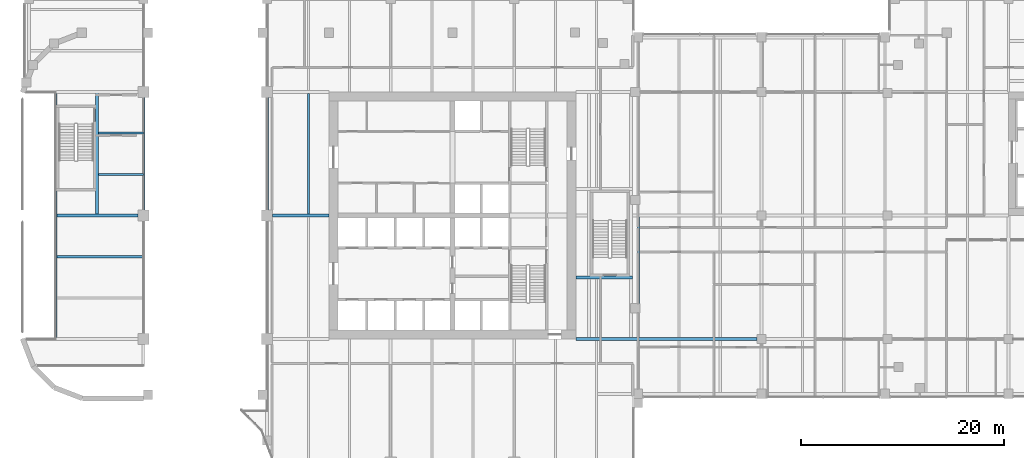
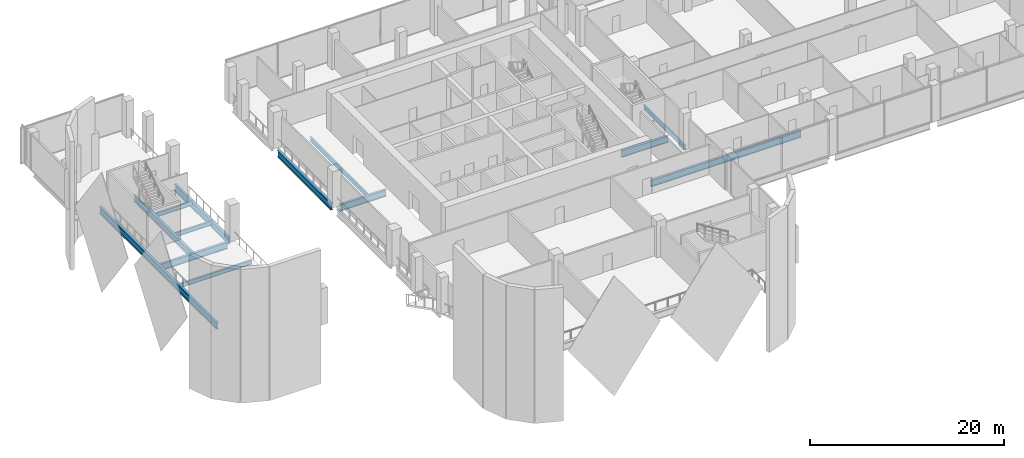
# One storey, part 3 of 33: 13 beams.
"""IFC4 building model written with IfcOpenShell, lengths in metres."""

from ifc_helpers import new_model, si_unit, direction, frame, origin, origin_2d, place, context, subcontext, project, spatial, i_section, extrude, material, material_profile, profile_set, type_object, element, save


model = new_model("IFC4")

# Units and contexts
model_context = context("Model", 3, precision=1e-05, world=origin(), true_north=direction((0.0, 1.0)))
body_context = subcontext(model_context, "Body", "Model", "MODEL_VIEW")
ifc_project = project(units=[si_unit("LENGTHUNIT", "METRE"), si_unit("AREAUNIT", "SQUARE_METRE"), si_unit("VOLUMEUNIT", "CUBIC_METRE"), si_unit("PLANEANGLEUNIT", "RADIAN"), si_unit("MASSUNIT", "GRAM", prefix="KILO")], contexts=[model_context])

# Site, building, storey
site_placement = place(None, origin())
site = spatial("IfcSite", under=ifc_project, at=site_placement, CompositionType="ELEMENT")
building_placement = place(site_placement, origin())
building = spatial("IfcBuilding", under=site, at=building_placement, Name="Tessera Gate Towers", CompositionType="ELEMENT")
storey_placement = place(building_placement, frame((0.0, 0.0, 7.199951171875)))
storey = spatial("IfcBuildingStorey", under=building, at=storey_placement, Name="L01", CompositionType="ELEMENT", Elevation=7.199951171875)

# Beams
ifc_material_1 = material(Name="Steel 350W", Category="steel")
ifc_material_profile_1 = material_profile(ifc_material_1, i_section(OverallWidth=0.2919921875, OverallDepth=0.8349609375, WebThickness=0.013916015625, FlangeThickness=0.018798828125, at=origin_2d()), Name="W840x176")
ifc_profile_set_1 = profile_set([ifc_material_profile_1], Name="Steel 350W")
beam_type_1 = type_object("IfcBeamType", Name="FLOOR GIRDER W840x176", PredefinedType="BEAM", material=ifc_profile_set_1)
beam_1_placement = place(storey_placement, frame((3.5, 24.5458984375, -0.66748046875), z_axis=(0.0, 1.0, 0.0), x_axis=(-1.0, 0.0, 0.0)))
element("IfcBeam", 1, at=beam_1_placement, inside=storey, type_object=beam_type_1, Name="PD-GD-L01-199", PredefinedType="BEAM", context=body_context, shape_type="SweptSolid", body=[
    extrude(i_section(OverallWidth=0.2919921875, OverallDepth=0.8349609375, WebThickness=0.013916015625, FlangeThickness=0.018798828125, at=origin_2d()), origin(), (0.0, 0.0, 1.0), 24.108154296875),
])
beam_2_placement = place(storey_placement, frame((54.90087890625, 24.39990234375, -0.66748046875), z_axis=(1.0, 0.0, 0.0), x_axis=(0.0, 1.0, 0.0)))
element("IfcBeam", 2, at=beam_2_placement, inside=storey, type_object=beam_type_1, Name="PD-GD-L01-206", PredefinedType="BEAM", context=body_context, shape_type="SweptSolid", body=[
    extrude(i_section(OverallWidth=0.2919921875, OverallDepth=0.8349609375, WebThickness=0.013916015625, FlangeThickness=0.018798828125, at=origin_2d()), origin(), (0.0, 0.0, 1.0), 17.84912109375),
])
beam_3_placement = place(storey_placement, frame((3.64599609375, 36.60009765625, -0.66748046875), z_axis=(1.0, 0.0, 0.0), x_axis=(0.0, 1.0, 0.0)))
element("IfcBeam", 3, at=beam_3_placement, inside=storey, type_object=beam_type_1, Name="PD-GD-L01-212", PredefinedType="BEAM", context=body_context, shape_type="SweptSolid", body=[
    extrude(i_section(OverallWidth=0.2919921875, OverallDepth=0.8349609375, WebThickness=0.013916015625, FlangeThickness=0.018798828125, at=origin_2d()), origin(), (0.0, 0.0, 1.0), 8.00390625),
])
beam_4_placement = place(storey_placement, frame((24.949951171875, 36.60009765625, -0.66748046875), z_axis=(1.0, 0.0, 0.0), x_axis=(0.0, 1.0, 0.0)))
element("IfcBeam", 4, at=beam_4_placement, inside=storey, type_object=beam_type_1, Name="PD-GD-L01-213", PredefinedType="BEAM", context=body_context, shape_type="SweptSolid", body=[
    extrude(i_section(OverallWidth=0.2919921875, OverallDepth=0.8349609375, WebThickness=0.013916015625, FlangeThickness=0.018798828125, at=origin_2d()), origin(), (0.0, 0.0, 1.0), 5.551025390625),
])
for number, where, z_axis, x_axis, name in (
    (5, (12.199951171875, 37.14990234375, -0.66748046875), (0.0, 1.0, 0.0), (-1.0, 0.0, 0.0), "PD-GD-L01-237"),
    (6, (24.39990234375, 37.14990234375, -0.66748046875), (0.0, 1.0, 0.0), (-1.0, 0.0, 0.0), "PD-GD-L01-241"),
):
    element("IfcBeam", number, at=place(storey_placement, frame(where, z_axis=z_axis, x_axis=x_axis)), inside=storey, type_object=beam_type_1, Name=name, PredefinedType="BEAM", context=body_context, shape_type="SweptSolid", body=[
        extrude(i_section(OverallWidth=0.2919921875, OverallDepth=0.8349609375, WebThickness=0.013916015625, FlangeThickness=0.018798828125, at=origin_2d()), origin(), (0.0, 0.0, 1.0), 11.10009765625),
    ])
beam_5_placement = place(storey_placement, frame((7.6201171875, 36.70458984375, -0.66748046875), z_axis=(0.0, 1.0, 0.0), x_axis=(-1.0, 0.0, 0.0)))
element("IfcBeam", 7, at=beam_5_placement, inside=storey, type_object=beam_type_1, Name="PD-GD-L01-261", PredefinedType="BEAM", context=body_context, shape_type="SweptSolid", body=[
    extrude(i_section(OverallWidth=0.2919921875, OverallDepth=0.8349609375, WebThickness=0.013916015625, FlangeThickness=0.018798828125, at=origin_2d()), origin(), (0.0, 0.0, 1.0), 11.990966796875),
])
beam_6_placement = place(storey_placement, frame((54.89892578125, 30.47998046875, -0.66748046875), z_axis=(1.0, 0.0, 0.0), x_axis=(0.0, 1.0, 0.0)))
element("IfcBeam", 8, at=beam_6_placement, inside=storey, type_object=beam_type_1, Name="PD-GD-L01-264", PredefinedType="BEAM", context=body_context, shape_type="SweptSolid", body=[
    extrude(i_section(OverallWidth=0.2919921875, OverallDepth=0.8349609375, WebThickness=0.013916015625, FlangeThickness=0.018798828125, at=origin_2d()), origin(), (0.0, 0.0, 1.0), 5.567138671875),
])
ifc_material_2 = material(Name="Steel 350W", Category="steel")
ifc_material_profile_2 = material_profile(ifc_material_2, i_section(OverallWidth=0.208984375, OverallDepth=0.528076171875, WebThickness=0.009521484375, FlangeThickness=0.01318359375, at=origin_2d()), Name="W530x82")
ifc_profile_set_2 = profile_set([ifc_material_profile_2], Name="Steel 350W")
beam_type_2 = type_object("IfcBeamType", Name="FLOOR SECONDARY W530x82", PredefinedType="BEAM", material=ifc_profile_set_2)
beam_7_placement = place(storey_placement, frame((28.466796875, 36.74609375, -0.513916015625), z_axis=(0.0, 1.0, 0.0), x_axis=(-1.0, 0.0, 0.0)))
element("IfcBeam", 9, at=beam_7_placement, inside=storey, type_object=beam_type_2, Name="PD-BM-L01-274", PredefinedType="BEAM", context=body_context, shape_type="SweptSolid", body=[
    extrude(i_section(OverallWidth=0.208984375, OverallDepth=0.528076171875, WebThickness=0.009521484375, FlangeThickness=0.01318359375, at=origin_2d()), origin(), (0.0, 0.0, 1.0), 11.907958984375),
])
beam_8_placement = place(storey_placement, frame((61.070556640625, 27.89990234375, -0.513916015625), z_axis=(0.0, 1.0, 0.0), x_axis=(-1.0, 0.0, 0.0)))
element("IfcBeam", 10, at=beam_8_placement, inside=storey, type_object=beam_type_2, Name="PD-BM-L01-298", PredefinedType="BEAM", context=body_context, shape_type="SweptSolid", body=[
    extrude(i_section(OverallWidth=0.208984375, OverallDepth=0.528076171875, WebThickness=0.009521484375, FlangeThickness=0.01318359375, at=origin_2d()), origin(), (0.0, 0.0, 1.0), 8.55419921875),
])
beam_9_placement = place(storey_placement, frame((3.64599609375, 32.533203125, -0.513916015625), z_axis=(1.0, 0.0, 0.0), x_axis=(0.0, 1.0, 0.0)))
element("IfcBeam", 11, at=beam_9_placement, inside=storey, type_object=beam_type_2, Name="PD-BM-L01-358", PredefinedType="BEAM", context=body_context, shape_type="SweptSolid", body=[
    extrude(i_section(OverallWidth=0.208984375, OverallDepth=0.528076171875, WebThickness=0.009521484375, FlangeThickness=0.01318359375, at=origin_2d()), origin(), (0.0, 0.0, 1.0), 8.553955078125),
])
for number, where, z_axis, x_axis, name in (
    (12, (7.76611328125, 40.666748046875, -0.513916015625), (1.0, 0.0, 0.0), (0.0, 1.0, 0.0), "PD-BM-L01-359"),
    (13, (7.76611328125, 44.7333984375, -0.513916015625), (1.0, 0.0, 0.0), (0.0, 1.0, 0.0), "PD-BM-L01-360"),
):
    element("IfcBeam", number, at=place(storey_placement, frame(where, z_axis=z_axis, x_axis=x_axis)), inside=storey, type_object=beam_type_2, Name=name, PredefinedType="BEAM", context=body_context, shape_type="SweptSolid", body=[
        extrude(i_section(OverallWidth=0.208984375, OverallDepth=0.528076171875, WebThickness=0.009521484375, FlangeThickness=0.01318359375, at=origin_2d()), origin(), (0.0, 0.0, 1.0), 4.433837890625),
    ])

save(model, "model.ifc")
